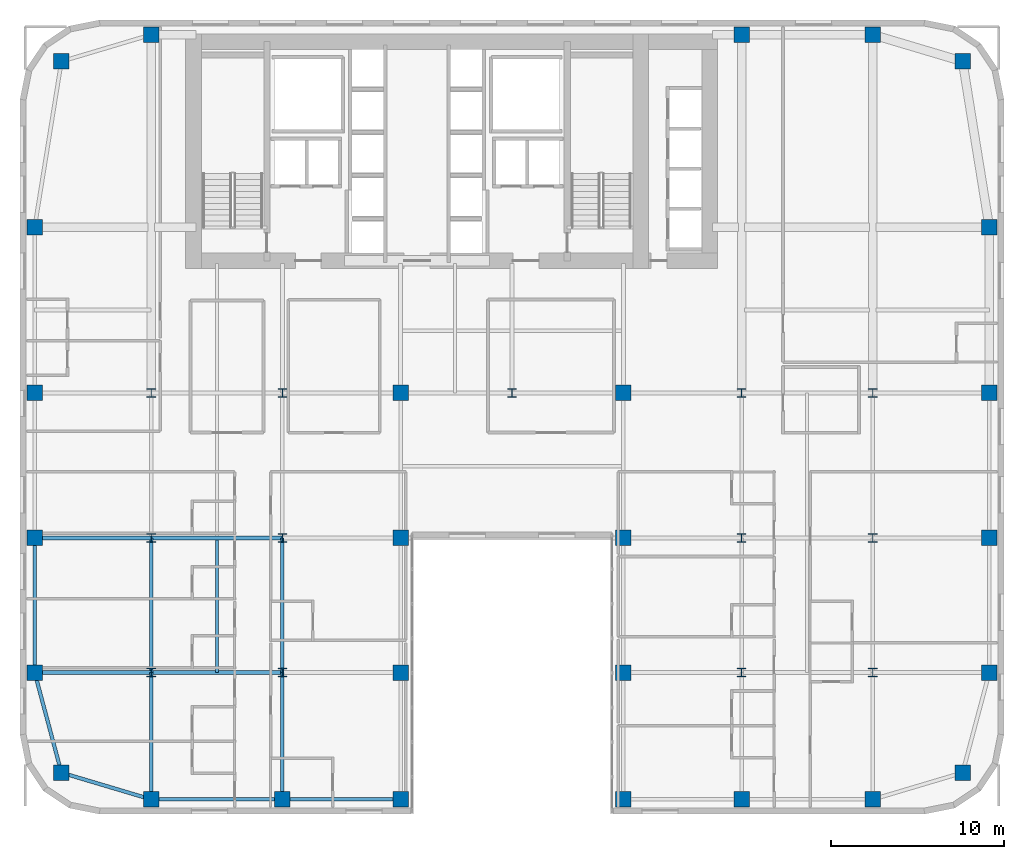
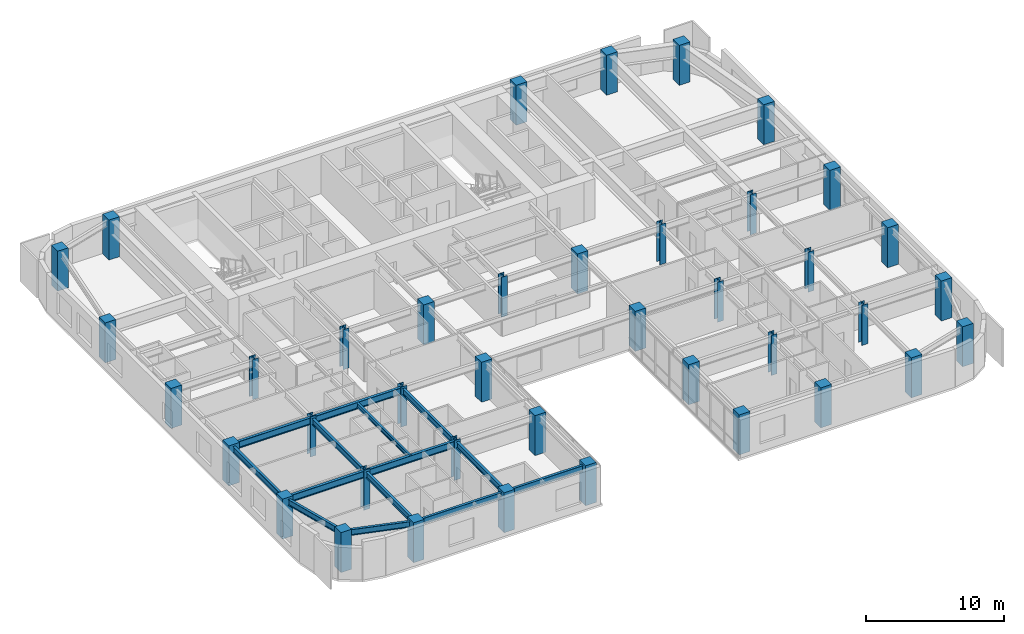
# One storey, part 1 of 16: 40 columns, 14 beams.
"""IFC4 building model written with IfcOpenShell, lengths in metres."""

from ifc_helpers import new_model, si_unit, direction, frame, origin, origin_2d, place, context, subcontext, project, spatial, rectangle, i_section, extrude, source, transform, mapped, material, material_profile, profile_set, type_object, type_shapes, element, save


model = new_model("IFC4")

# Units and contexts
model_context = context("Model", 3, precision=1e-05, world=origin(), true_north=direction((0.0, 1.0)))
body_context = subcontext(model_context, "Body", "Model", "MODEL_VIEW")
ifc_project = project(units=[si_unit("LENGTHUNIT", "METRE"), si_unit("AREAUNIT", "SQUARE_METRE"), si_unit("VOLUMEUNIT", "CUBIC_METRE"), si_unit("PLANEANGLEUNIT", "RADIAN"), si_unit("MASSUNIT", "GRAM", prefix="KILO")], contexts=[model_context])

# Site, building, storey
site_placement = place(None, origin())
site = spatial("IfcSite", under=ifc_project, at=site_placement, CompositionType="ELEMENT")
building_placement = place(site_placement, origin())
building = spatial("IfcBuilding", under=site, at=building_placement, Name="Tolvann Quenvar Hotel", CompositionType="ELEMENT")
storey_placement = place(building_placement, frame((0.0, 0.0, 85.25)))
storey = spatial("IfcBuildingStorey", under=building, at=storey_placement, Name="L21", CompositionType="ELEMENT", Elevation=85.25)

# Columns
ifc_material_1 = material(Name="Concrete S65 (65 MPa)", Category="concrete")
ifc_material_profile_1 = material_profile(ifc_material_1, rectangle(XDim=0.89990234375, YDim=0.89990234375, at=origin_2d()), Name="RC900x900")
ifc_profile_set_1 = profile_set([ifc_material_profile_1], Name="Concrete S65 (65 MPa)")
column_type_1 = type_object("IfcColumnType", Name="COL_RC900", PredefinedType="COLUMN", material=ifc_profile_set_1)
shared_shape_1 = source(origin(), body_context, "Body", "SweptSolid", [
    extrude(rectangle(XDim=0.89990234375, YDim=0.89990234375, at=origin_2d()), origin(), (0.0, 0.0, 1.0), 3.550048828125),
])
type_shapes(column_type_1, [shared_shape_1])
for number, where, z_axis, x_axis, name in (
    (1, (2.39990234375, 2.39990234375, 0.0), (0.0, 0.0, 1.0), (1.0, 0.0, 0.0), "Column B2 (L21)"),
    (2, (0.85009765625, 8.199951171875, 0.0), (0.0, 0.0, 1.0), (1.0, 0.0, 0.0), "Column B3 (L21)"),
    (3, (0.85009765625, 16.0, 0.0), (0.0, 0.0, 1.0), (1.0, 0.0, 0.0), "Column B4 (L21)"),
    (4, (0.85009765625, 24.39990234375, 0.0), (0.0, 0.0, 1.0), (1.0, 0.0, 0.0), "Column B5 (L21)"),
    (5, (7.60009765625, 0.85009765625, 0.0), (0.0, 0.0, 1.0), (1.0, 0.0, 0.0), "Column C2 (L21)"),
    (6, (15.199951171875, 0.85009765625, 0.0), (0.0, 0.0, 1.0), (1.0, 0.0, 0.0), "Column D2 (L21)"),
    (7, (22.050048828125, 0.85009765625, 0.0), (0.0, 0.0, 1.0), (1.0, 0.0, 0.0), "Column E2 (L21)"),
    (8, (22.050048828125, 8.199951171875, 0.0), (0.0, 0.0, 1.0), (1.0, 0.0, 0.0), "Column E3 (L21)"),
    (9, (22.050048828125, 16.0, 0.0), (0.0, 0.0, 1.0), (1.0, 0.0, 0.0), "Column E4 (L21)"),
    (10, (22.050048828125, 24.39990234375, 0.0), (0.0, 0.0, 1.0), (1.0, 0.0, 0.0), "Column E5 (L21)"),
    (11, (34.949951171875, 0.85009765625, 0.0), (0.0, 0.0, 1.0), (1.0, 0.0, 0.0), "Column F2 (L21)"),
    (12, (34.949951171875, 8.199951171875, 0.0), (0.0, 0.0, 1.0), (1.0, 0.0, 0.0), "Column F3 (L21)"),
    (13, (34.949951171875, 16.0, 0.0), (0.0, 0.0, 1.0), (1.0, 0.0, 0.0), "Column F4 (L21)"),
    (14, (34.949951171875, 24.39990234375, 0.0), (0.0, 0.0, 1.0), (1.0, 0.0, 0.0), "Column F5 (L21)"),
    (15, (41.800048828125, 0.85009765625, 0.0), (0.0, 0.0, 1.0), (1.0, 0.0, 0.0), "Column H2 (L21)"),
    (16, (49.39990234375, 0.85009765625, 0.0), (0.0, 0.0, 1.0), (1.0, 0.0, 0.0), "Column I2 (L21)"),
    (17, (54.60009765625, 2.39990234375, 0.0), (0.0, 0.0, 1.0), (1.0, 0.0, 0.0), "Column J2 (L21)"),
    (18, (56.14990234375, 8.199951171875, 0.0), (0.0, 0.0, 1.0), (1.0, 0.0, 0.0), "Column J3 (L21)"),
    (19, (56.14990234375, 16.0, 0.0), (0.0, 0.0, 1.0), (1.0, 0.0, 0.0), "Column J4 (L21)"),
    (20, (56.14990234375, 24.39990234375, 0.0), (0.0, 0.0, 1.0), (1.0, 0.0, 0.0), "Column J5 (L21)"),
    (21, (2.39990234375, 43.60009765625, 0.0), (0.0, 0.0, 1.0), (1.0, 0.0, 0.0), "Column BN (L21)"),
    (22, (7.60009765625, 45.14990234375, 0.0), (0.0, 0.0, 1.0), (1.0, 0.0, 0.0), "Column CN (L21)"),
    (23, (0.85009765625, 34.0, 0.0), (0.0, 0.0, 1.0), (1.0, 0.0, 0.0), "Column BD6 (L21)"),
    (24, (41.800048828125, 45.14990234375, 0.0), (0.0, 0.0, 1.0), (1.0, 0.0, 0.0), "Column HN (L21)"),
    (25, (49.39990234375, 45.14990234375, 0.0), (0.0, 0.0, 1.0), (1.0, 0.0, 0.0), "Column IN (L21)"),
    (26, (54.60009765625, 43.60009765625, 0.0), (0.0, 0.0, 1.0), (1.0, 0.0, 0.0), "Column JN (L21)"),
    (27, (56.14990234375, 34.0, 0.0), (0.0, 0.0, 1.0), (1.0, 0.0, 0.0), "Column JD6 (L21)"),
):
    element("IfcColumn", number, at=place(storey_placement, frame(where, z_axis=z_axis, x_axis=x_axis)), inside=storey, type_object=column_type_1, Name=name, PredefinedType="COLUMN", context=body_context, shape_type="MappedRepresentation", body=[
        mapped(shared_shape_1, transform((0.0, 0.0, 0.0), x_axis=(1.0, 0.0, 0.0), y_axis=(0.0, 1.0, 0.0), z_axis=(0.0, 0.0, 1.0), scale=1.0)),
    ])
ifc_material_2 = material(Name="Steel Grade 350", Category="steel")
ifc_material_profile_2 = material_profile(ifc_material_2, i_section(OverallWidth=0.5, OverallDepth=0.5, WebThickness=0.02197265625, FlangeThickness=0.033935546875, at=origin_2d()), Name="500WC340")
ifc_profile_set_2 = profile_set([ifc_material_profile_2], Name="Steel Grade 350")
column_type_2 = type_object("IfcColumnType", Name="COL_500WC340", PredefinedType="COLUMN", material=ifc_profile_set_2)
shared_shape_2 = source(origin(), body_context, "Body", "SweptSolid", [
    extrude(i_section(OverallWidth=0.5, OverallDepth=0.5, WebThickness=0.02197265625, FlangeThickness=0.033935546875, at=origin_2d()), origin(), (0.0, 0.0, 1.0), 3.550048828125),
])
type_shapes(column_type_2, [shared_shape_2])
for number, where, z_axis, x_axis, name in (
    (28, (7.60009765625, 8.199951171875, 0.0), (0.0, 0.0, 1.0), (1.0, 0.0, 0.0), "Column C3 (L21)"),
    (29, (7.60009765625, 16.0, 0.0), (0.0, 0.0, 1.0), (1.0, 0.0, 0.0), "Column C4 (L21)"),
    (30, (7.60009765625, 24.39990234375, 0.0), (0.0, 0.0, 1.0), (1.0, 0.0, 0.0), "Column C5 (L21)"),
    (31, (15.199951171875, 8.199951171875, 0.0), (0.0, 0.0, 1.0), (1.0, 0.0, 0.0), "Column D3 (L21)"),
    (32, (15.199951171875, 16.0, 0.0), (0.0, 0.0, 1.0), (1.0, 0.0, 0.0), "Column D4 (L21)"),
    (33, (15.199951171875, 24.39990234375, 0.0), (0.0, 0.0, 1.0), (1.0, 0.0, 0.0), "Column D5 (L21)"),
    (34, (41.800048828125, 8.199951171875, 0.0), (0.0, 0.0, 1.0), (1.0, 0.0, 0.0), "Column H3 (L21)"),
    (35, (41.800048828125, 16.0, 0.0), (0.0, 0.0, 1.0), (1.0, 0.0, 0.0), "Column H4 (L21)"),
    (36, (41.800048828125, 24.39990234375, 0.0), (0.0, 0.0, 1.0), (1.0, 0.0, 0.0), "Column H5 (L21)"),
    (37, (49.39990234375, 8.199951171875, 0.0), (0.0, 0.0, 1.0), (1.0, 0.0, 0.0), "Column I3 (L21)"),
    (38, (49.39990234375, 16.0, 0.0), (0.0, 0.0, 1.0), (1.0, 0.0, 0.0), "Column I4 (L21)"),
    (39, (49.39990234375, 24.39990234375, 0.0), (0.0, 0.0, 1.0), (1.0, 0.0, 0.0), "Column I5 (L21)"),
    (40, (28.5, 24.39990234375, 0.0), (0.0, 0.0, 1.0), (1.0, 0.0, 0.0), "Column M5 (L21)"),
):
    element("IfcColumn", number, at=place(storey_placement, frame(where, z_axis=z_axis, x_axis=x_axis)), inside=storey, type_object=column_type_2, Name=name, PredefinedType="COLUMN", context=body_context, shape_type="MappedRepresentation", body=[
        mapped(shared_shape_2, transform((0.0, 0.0, 0.0), x_axis=(1.0, 0.0, 0.0), y_axis=(0.0, 1.0, 0.0), z_axis=(0.0, 0.0, 1.0), scale=1.0)),
    ])

# Beams
ifc_material_profile_3 = material_profile(ifc_material_2, i_section(OverallWidth=0.208984375, OverallDepth=0.528076171875, WebThickness=0.009521484375, FlangeThickness=0.01318359375, FilletRadius=0.013916015625, at=origin_2d()), Name="530UB82")
ifc_profile_set_3 = profile_set([ifc_material_profile_3], Name="Steel Grade 350")
beam_type_1 = type_object("IfcBeamType", Name="BM_SPAND_530UB82", PredefinedType="SPANDREL", material=ifc_profile_set_3)
shared_shape_3 = source(origin(), body_context, "Body", "SweptSolid", [
    extrude(i_section(OverallWidth=0.208984375, OverallDepth=0.528076171875, WebThickness=0.009521484375, FlangeThickness=0.01318359375, FilletRadius=0.013916015625, at=origin_2d()), origin(), (0.0, 0.0, 1.0), 5.42626953125),
])
beam_1_placement = place(storey_placement, frame((2.39990234375, 2.39990234375, 3.10595703125), z_axis=(0.958344815522, -0.285613750654, 0.0), x_axis=(0.285613750654, 0.958344815522, 0.0)))
element("IfcBeam", 41, at=beam_1_placement, inside=storey, type_object=beam_type_1, Name="BM-L21-EW-2-B2-C2", PredefinedType="SPANDREL", context=body_context, shape_type="MappedRepresentation", body=[
    mapped(shared_shape_3, transform((0.0, 0.0, 0.0), x_axis=(1.0, 0.0, 0.0), y_axis=(0.0, 1.0, 0.0), z_axis=(0.0, 0.0, 1.0), scale=1.0)),
])
shared_shape_4 = source(origin(), body_context, "Body", "SweptSolid", [
    extrude(i_section(OverallWidth=0.208984375, OverallDepth=0.528076171875, WebThickness=0.009521484375, FlangeThickness=0.01318359375, FilletRadius=0.013916015625, at=origin_2d()), origin(), (0.0, 0.0, 1.0), 7.599853515625),
])
beam_2_placement = place(storey_placement, frame((7.60009765625, 0.85009765625, 3.10595703125), z_axis=(1.0, 0.0, 0.0), x_axis=(0.0, 1.0, 0.0)))
element("IfcBeam", 42, at=beam_2_placement, inside=storey, type_object=beam_type_1, Name="BM-L21-EW-2-C2-D2", PredefinedType="SPANDREL", context=body_context, shape_type="MappedRepresentation", body=[
    mapped(shared_shape_4, transform((0.0, 0.0, 0.0), x_axis=(1.0, 0.0, 0.0), y_axis=(0.0, 1.0, 0.0), z_axis=(0.0, 0.0, 1.0), scale=1.0)),
])
shared_shape_5 = source(origin(), body_context, "Body", "SweptSolid", [
    extrude(i_section(OverallWidth=0.208984375, OverallDepth=0.528076171875, WebThickness=0.009521484375, FlangeThickness=0.01318359375, FilletRadius=0.013916015625, at=origin_2d()), origin(), (0.0, 0.0, 1.0), 6.85009765625),
])
beam_3_placement = place(storey_placement, frame((15.199951171875, 0.85009765625, 3.10595703125), z_axis=(1.0, 0.0, 0.0), x_axis=(0.0, 1.0, 0.0)))
element("IfcBeam", 43, at=beam_3_placement, inside=storey, type_object=beam_type_1, Name="BM-L21-EW-2-D2-E2", PredefinedType="SPANDREL", context=body_context, shape_type="MappedRepresentation", body=[
    mapped(shared_shape_5, transform((0.0, 0.0, 0.0), x_axis=(1.0, 0.0, 0.0), y_axis=(0.0, 1.0, 0.0), z_axis=(0.0, 0.0, 1.0), scale=1.0)),
])
ifc_material_profile_4 = material_profile(ifc_material_2, i_section(OverallWidth=0.22900390625, OverallDepth=0.612060546875, WebThickness=0.011962890625, FlangeThickness=0.01953125, FilletRadius=0.013916015625, at=origin_2d()), Name="610UB125")
ifc_profile_set_4 = profile_set([ifc_material_profile_4], Name="Steel Grade 350")
beam_type_2 = type_object("IfcBeamType", Name="BM_GIRD_610UB125", PredefinedType="BEAM", material=ifc_profile_set_4)
shared_shape_6 = source(origin(), body_context, "Body", "SweptSolid", [
    extrude(i_section(OverallWidth=0.22900390625, OverallDepth=0.612060546875, WebThickness=0.011962890625, FlangeThickness=0.01953125, FilletRadius=0.013916015625, at=origin_2d()), origin(), (0.0, 0.0, 1.0), 6.75),
])
for number, where, z_axis, x_axis, name in (
    (44, (0.85009765625, 8.199951171875, 3.06396484375), (1.0, 0.0, 0.0), (0.0, 1.0, 0.0), "BM-L21-EW-3-B3-C3"),
    (45, (0.85009765625, 16.0, 3.06396484375), (1.0, 0.0, 0.0), (0.0, 1.0, 0.0), "BM-L21-EW-4-B4-C4"),
):
    element("IfcBeam", number, at=place(storey_placement, frame(where, z_axis=z_axis, x_axis=x_axis)), inside=storey, type_object=beam_type_2, Name=name, PredefinedType="BEAM", context=body_context, shape_type="MappedRepresentation", body=[
        mapped(shared_shape_6, transform((0.0, 0.0, 0.0), x_axis=(1.0, 0.0, 0.0), y_axis=(0.0, 1.0, 0.0), z_axis=(0.0, 0.0, 1.0), scale=1.0)),
    ])
shared_shape_7 = source(origin(), body_context, "Body", "SweptSolid", [
    extrude(i_section(OverallWidth=0.22900390625, OverallDepth=0.612060546875, WebThickness=0.011962890625, FlangeThickness=0.01953125, FilletRadius=0.013916015625, at=origin_2d()), origin(), (0.0, 0.0, 1.0), 7.599853515625),
])
type_shapes(beam_type_2, [shared_shape_6, shared_shape_7])
for number, where, z_axis, x_axis, name in (
    (46, (7.60009765625, 8.199951171875, 3.06396484375), (1.0, 0.0, 0.0), (0.0, 1.0, 0.0), "BM-L21-EW-3-C3-D3"),
    (47, (7.60009765625, 16.0, 3.06396484375), (1.0, 0.0, 0.0), (0.0, 1.0, 0.0), "BM-L21-EW-4-C4-D4"),
):
    element("IfcBeam", number, at=place(storey_placement, frame(where, z_axis=z_axis, x_axis=x_axis)), inside=storey, type_object=beam_type_2, Name=name, PredefinedType="BEAM", context=body_context, shape_type="MappedRepresentation", body=[
        mapped(shared_shape_7, transform((0.0, 0.0, 0.0), x_axis=(1.0, 0.0, 0.0), y_axis=(0.0, 1.0, 0.0), z_axis=(0.0, 0.0, 1.0), scale=1.0)),
    ])
shared_shape_8 = source(origin(), body_context, "Body", "SweptSolid", [
    extrude(i_section(OverallWidth=0.208984375, OverallDepth=0.528076171875, WebThickness=0.009521484375, FlangeThickness=0.01318359375, FilletRadius=0.013916015625, at=origin_2d()), origin(), (0.0, 0.0, 1.0), 6.00341796875),
])
beam_4_placement = place(storey_placement, frame((2.39990234375, 2.39990234375, 3.10595703125), z_axis=(-0.258148586649, 0.966105225745, 0.0), x_axis=(-0.966105225745, -0.258148586649, 0.0)))
element("IfcBeam", 48, at=beam_4_placement, inside=storey, type_object=beam_type_1, Name="BM-L21-NS-B2-B3", PredefinedType="SPANDREL", context=body_context, shape_type="MappedRepresentation", body=[
    mapped(shared_shape_8, transform((0.0, 0.0, 0.0), x_axis=(1.0, 0.0, 0.0), y_axis=(0.0, 1.0, 0.0), z_axis=(0.0, 0.0, 1.0), scale=1.0)),
])
shared_shape_9 = source(origin(), body_context, "Body", "SweptSolid", [
    extrude(i_section(OverallWidth=0.208984375, OverallDepth=0.528076171875, WebThickness=0.009521484375, FlangeThickness=0.01318359375, FilletRadius=0.013916015625, at=origin_2d()), origin(), (0.0, 0.0, 1.0), 7.800048828125),
])
type_shapes(beam_type_1, [shared_shape_3, shared_shape_4, shared_shape_5, shared_shape_8, shared_shape_9])
beam_5_placement = place(storey_placement, frame((0.85009765625, 8.199951171875, 3.10595703125), z_axis=(0.0, 1.0, 0.0), x_axis=(-1.0, 0.0, 0.0)))
element("IfcBeam", 49, at=beam_5_placement, inside=storey, type_object=beam_type_1, Name="BM-L21-NS-B3-B4", PredefinedType="SPANDREL", context=body_context, shape_type="MappedRepresentation", body=[
    mapped(shared_shape_9, transform((0.0, 0.0, 0.0), x_axis=(1.0, 0.0, 0.0), y_axis=(0.0, 1.0, 0.0), z_axis=(0.0, 0.0, 1.0), scale=1.0)),
])
ifc_material_profile_5 = material_profile(ifc_material_2, i_section(OverallWidth=0.208984375, OverallDepth=0.532958984375, WebThickness=0.01025390625, FlangeThickness=0.015625, FilletRadius=0.013916015625, at=origin_2d()), Name="530UB92")
ifc_profile_set_5 = profile_set([ifc_material_profile_5], Name="Steel Grade 350")
beam_type_3 = type_object("IfcBeamType", Name="BM_GIRD_530UB92", PredefinedType="BEAM", material=ifc_profile_set_5)
shared_shape_10 = source(origin(), body_context, "Body", "SweptSolid", [
    extrude(i_section(OverallWidth=0.208984375, OverallDepth=0.532958984375, WebThickness=0.01025390625, FlangeThickness=0.015625, FilletRadius=0.013916015625, at=origin_2d()), origin(), (0.0, 0.0, 1.0), 7.349853515625),
])
for number, where, z_axis, x_axis, name in (
    (50, (7.60009765625, 0.85009765625, 3.103515625), (0.0, 1.0, 0.0), (-1.0, 0.0, 0.0), "BM-L21-NS-C2-C3"),
    (51, (15.199951171875, 0.85009765625, 3.103515625), (0.0, 1.0, 0.0), (-1.0, 0.0, 0.0), "BM-L21-NS-D2-D3"),
):
    element("IfcBeam", number, at=place(storey_placement, frame(where, z_axis=z_axis, x_axis=x_axis)), inside=storey, type_object=beam_type_3, Name=name, PredefinedType="BEAM", context=body_context, shape_type="MappedRepresentation", body=[
        mapped(shared_shape_10, transform((0.0, 0.0, 0.0), x_axis=(1.0, 0.0, 0.0), y_axis=(0.0, 1.0, 0.0), z_axis=(0.0, 0.0, 1.0), scale=1.0)),
    ])
shared_shape_11 = source(origin(), body_context, "Body", "SweptSolid", [
    extrude(i_section(OverallWidth=0.208984375, OverallDepth=0.532958984375, WebThickness=0.01025390625, FlangeThickness=0.015625, FilletRadius=0.013916015625, at=origin_2d()), origin(), (0.0, 0.0, 1.0), 7.800048828125),
])
type_shapes(beam_type_3, [shared_shape_10, shared_shape_11])
for number, where, z_axis, x_axis, name in (
    (52, (7.60009765625, 8.199951171875, 3.103515625), (0.0, 1.0, 0.0), (-1.0, 0.0, 0.0), "BM-L21-NS-C3-C4"),
    (53, (15.199951171875, 8.199951171875, 3.103515625), (0.0, 1.0, 0.0), (-1.0, 0.0, 0.0), "BM-L21-NS-D3-D4"),
):
    element("IfcBeam", number, at=place(storey_placement, frame(where, z_axis=z_axis, x_axis=x_axis)), inside=storey, type_object=beam_type_3, Name=name, PredefinedType="BEAM", context=body_context, shape_type="MappedRepresentation", body=[
        mapped(shared_shape_11, transform((0.0, 0.0, 0.0), x_axis=(1.0, 0.0, 0.0), y_axis=(0.0, 1.0, 0.0), z_axis=(0.0, 0.0, 1.0), scale=1.0)),
    ])
ifc_material_profile_6 = material_profile(ifc_material_2, i_section(OverallWidth=0.177978515625, OverallDepth=0.406005859375, WebThickness=0.0078125, FlangeThickness=0.0126953125, FilletRadius=0.011474609375, at=origin_2d()), Name="410UB60")
ifc_profile_set_6 = profile_set([ifc_material_profile_6], Name="Steel Grade 350")
beam_type_4 = type_object("IfcBeamType", Name="BM_JOIST_410UB60", PredefinedType="JOIST", material=ifc_profile_set_6)
shared_shape_12 = source(origin(), body_context, "Body", "SweptSolid", [
    extrude(i_section(OverallWidth=0.177978515625, OverallDepth=0.406005859375, WebThickness=0.0078125, FlangeThickness=0.0126953125, FilletRadius=0.011474609375, at=origin_2d()), origin(), (0.0, 0.0, 1.0), 7.691650390625),
])
type_shapes(beam_type_4, [shared_shape_12])
beam_6_placement = place(storey_placement, frame((11.39990234375, 8.199951171875, 3.1669921875), z_axis=(0.0, 1.0, 0.0), x_axis=(-1.0, 0.0, 0.0)))
element("IfcBeam", 54, at=beam_6_placement, inside=storey, type_object=beam_type_4, Name="BJ-L21-114-82", PredefinedType="JOIST", context=body_context, shape_type="MappedRepresentation", body=[
    mapped(shared_shape_12, transform((0.0, 0.0, 0.0), x_axis=(1.0, 0.0, 0.0), y_axis=(0.0, 1.0, 0.0), z_axis=(0.0, 0.0, 1.0), scale=1.0)),
])

save(model, "model.ifc")
